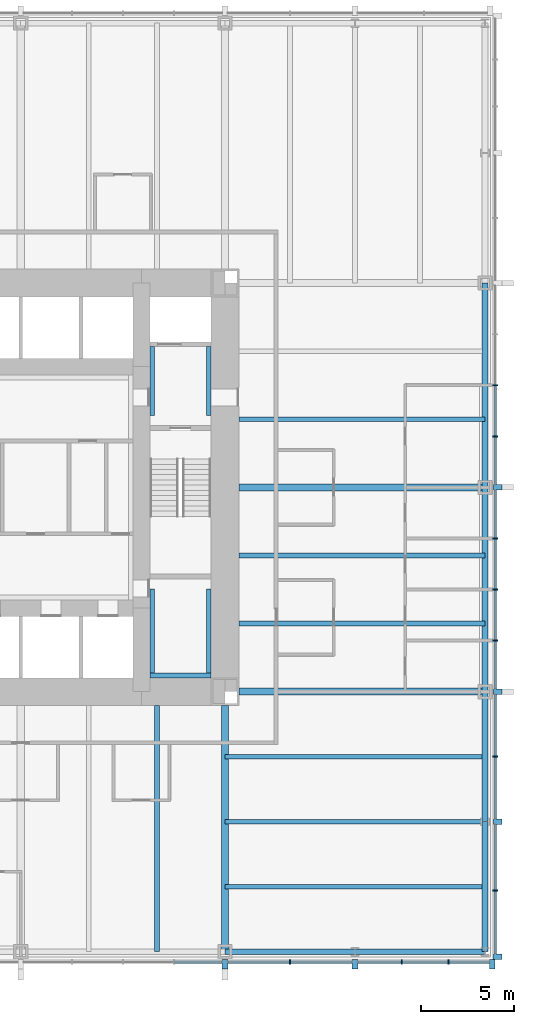
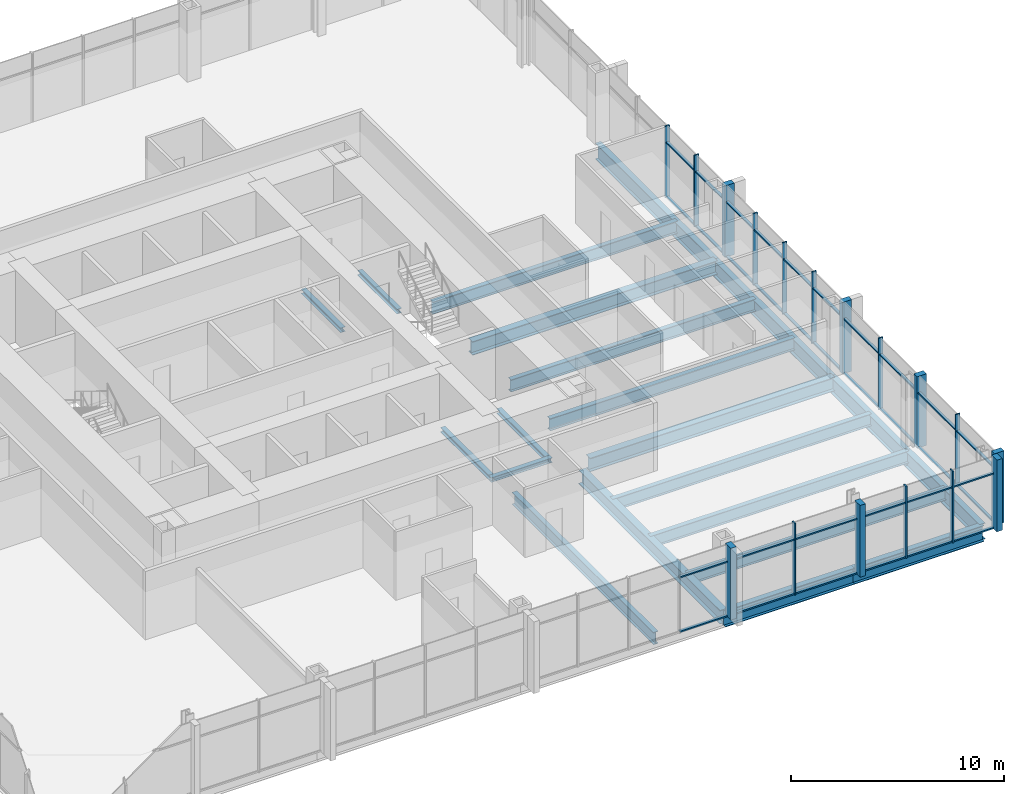
# One storey, part 4 of 12: 49 members, 21 beams, 2 elements without a shape of their own.
"""IFC4 building model written with IfcOpenShell, lengths in metres."""

from ifc_helpers import new_model, si_unit, direction, frame, origin, origin_2d, place, context, subcontext, project, spatial, rectangle, i_section, extrude, material, material_profile, profile_set, type_object, element, aggregate, save


model = new_model("IFC4")

# Units and contexts
model_context = context("Model", 3, precision=1e-05, world=origin(), true_north=direction((0.0, 1.0)))
body_context = subcontext(model_context, "Body", "Model", "MODEL_VIEW")
ifc_project = project(units=[si_unit("LENGTHUNIT", "METRE"), si_unit("AREAUNIT", "SQUARE_METRE"), si_unit("VOLUMEUNIT", "CUBIC_METRE"), si_unit("PLANEANGLEUNIT", "RADIAN"), si_unit("MASSUNIT", "GRAM", prefix="KILO")], contexts=[model_context])

# Site, building, storey
site_placement = place(None, origin())
site = spatial("IfcSite", under=ifc_project, at=site_placement, CompositionType="ELEMENT")
building_placement = place(site_placement, origin())
building = spatial("IfcBuilding", under=site, at=building_placement, Name="Trevanion Tower", CompositionType="ELEMENT")
storey_placement = place(building_placement, frame((0.0, 0.0, 32.39990234375)))
storey = spatial("IfcBuildingStorey", under=building, at=storey_placement, Name="L07", CompositionType="ELEMENT", Elevation=32.39990234375)

# Beams
ifc_material_1 = material(Name="Steel ASTM A992 Grade 50", Category="steel")
ifc_material_profile_1 = material_profile(ifc_material_1, i_section(OverallWidth=0.25390625, OverallDepth=0.700927734375, WebThickness=0.015380859375, FlangeThickness=0.02783203125, at=origin_2d()), Name="W27X129")
ifc_profile_set_1 = profile_set([ifc_material_profile_1], Name="Steel ASTM A992 Grade 50")
beam_type_1 = type_object("IfcBeamType", Name="B3 W27X129", PredefinedType="BEAM", material=ifc_profile_set_1)
for number, where, z_axis, x_axis, name in (
    (1, (11.75, -7.333251953125, -0.540283203125), (1.0, 0.0, 0.0), (0.0, 1.0, 0.0), "B3 L07"),
    (2, (11.75, -3.666748046875, -0.540283203125), (1.0, 0.0, 0.0), (0.0, 1.0, 0.0), "B3 L07"),
    (3, (11.75, 3.666748046875, -0.540283203125), (1.0, 0.0, 0.0), (0.0, 1.0, 0.0), "B3 L07"),
    (4, (7.333251953125, -11.75, -0.540283203125), (0.0, -1.0, 0.0), (1.0, 0.0, 0.0), "B3 L07"),
):
    element("IfcBeam", number, at=place(storey_placement, frame(where, z_axis=z_axis, x_axis=x_axis)), inside=storey, type_object=beam_type_1, Name=name, PredefinedType="BEAM", context=body_context, shape_type="SweptSolid", body=[
        extrude(i_section(OverallWidth=0.25390625, OverallDepth=0.700927734375, WebThickness=0.015380859375, FlangeThickness=0.02783203125, at=origin_2d()), origin(), (0.0, 0.0, 1.0), 13.25),
    ])
ifc_material_2 = material(Name="Steel ASTM A992 Grade 50", Category="steel")
ifc_material_profile_2 = material_profile(ifc_material_2, i_section(OverallWidth=0.256591796875, OverallDepth=0.693359375, WebThickness=0.014404296875, FlangeThickness=0.023681640625, at=origin_2d()), Name="W27X114")
ifc_profile_set_2 = profile_set([ifc_material_profile_2], Name="Steel ASTM A992 Grade 50")
beam_type_2 = type_object("IfcBeamType", Name="B4 W27X114", PredefinedType="BEAM", material=ifc_profile_set_2)
for number, where, z_axis, x_axis, name in (
    (5, (11.0, -14.5, -0.53662109375), (1.0, 0.0, 0.0), (0.0, 1.0, 0.0), "B4 L07"),
    (6, (11.0, -18.0, -0.53662109375), (1.0, 0.0, 0.0), (0.0, 1.0, 0.0), "B4 L07"),
    (7, (11.0, -21.5, -0.53662109375), (1.0, 0.0, 0.0), (0.0, 1.0, 0.0), "B4 L07"),
):
    element("IfcBeam", number, at=place(storey_placement, frame(where, z_axis=z_axis, x_axis=x_axis)), inside=storey, type_object=beam_type_2, Name=name, PredefinedType="BEAM", context=body_context, shape_type="SweptSolid", body=[
        extrude(i_section(OverallWidth=0.256591796875, OverallDepth=0.693359375, WebThickness=0.014404296875, FlangeThickness=0.023681640625, at=origin_2d()), origin(), (0.0, 0.0, 1.0), 14.0),
    ])

# Curtain wall, members
ifc_material_3 = material(Name="Aluminium and glass", Category="aluminium")
curtain_wall_type = type_object("IfcCurtainWallType", Name="CW1 curtain wall", PredefinedType="USERDEFINED", material=ifc_material_3)
curtain_wall_1_placement = place(storey_placement, origin())
curtain_wall_1 = element("IfcCurtainWall", 8, at=curtain_wall_1_placement, inside=storey, type_object=curtain_wall_type, Name="CW1 L07 0", ObjectType="UNITISED CURTAIN WALL", PredefinedType="USERDEFINED")
ifc_material_4 = material(Name="Aluminium extrusion, anodised bronze", Category="aluminium")
ifc_material_profile_3 = material_profile(ifc_material_4, rectangle(XDim=0.074951171875, YDim=0.25, at=origin_2d()), Name="CW1 mullion")
ifc_profile_set_3 = profile_set([ifc_material_profile_3], Name="Aluminium extrusion, anodised bronze")
member_type_1 = type_object("IfcMemberType", Name="CW1 mullion", PredefinedType="MULLION", material=ifc_profile_set_3)
member_1_placement = place(storey_placement, frame((25.550048828125, -21.7099609375, -0.18994140625), z_axis=(0.0, 0.0, 1.0), x_axis=(0.0, 1.0, 0.0)))
member_1 = element("IfcMember", 9, at=member_1_placement, type_object=member_type_1, Name="CW1 mullion 2", PredefinedType="MULLION", context=body_context, shape_type="SweptSolid", body=[
    extrude(rectangle(XDim=0.074951171875, YDim=0.25, at=origin_2d()), origin(), (0.0, 0.0, 1.0), 4.10009765625),
])
member_2_placement = place(storey_placement, frame((25.550048828125, -14.5, -0.18994140625), z_axis=(0.0, 0.0, 1.0), x_axis=(0.0, 1.0, 0.0)))
member_2 = element("IfcMember", 10, at=member_2_placement, type_object=member_type_1, Name="CW1 mullion 4", PredefinedType="MULLION", context=body_context, shape_type="SweptSolid", body=[
    extrude(rectangle(XDim=0.074951171875, YDim=0.25, at=origin_2d()), origin(), (0.0, 0.0, 1.0), 4.10009765625),
])
member_3_placement = place(storey_placement, frame((25.550048828125, -8.25, -0.18994140625), z_axis=(0.0, 0.0, 1.0), x_axis=(0.0, 1.0, 0.0)))
member_3 = element("IfcMember", 11, at=member_3_placement, type_object=member_type_1, Name="CW1 mullion 6", PredefinedType="MULLION", context=body_context, shape_type="SweptSolid", body=[
    extrude(rectangle(XDim=0.074951171875, YDim=0.25, at=origin_2d()), origin(), (0.0, 0.0, 1.0), 4.10009765625),
])
member_4_placement = place(storey_placement, frame((25.550048828125, -5.5, -0.18994140625), z_axis=(0.0, 0.0, 1.0), x_axis=(0.0, 1.0, 0.0)))
member_4 = element("IfcMember", 12, at=member_4_placement, type_object=member_type_1, Name="CW1 mullion 7", PredefinedType="MULLION", context=body_context, shape_type="SweptSolid", body=[
    extrude(rectangle(XDim=0.074951171875, YDim=0.25, at=origin_2d()), origin(), (0.0, 0.0, 1.0), 4.10009765625),
])
member_5_placement = place(storey_placement, frame((25.550048828125, -2.75, -0.18994140625), z_axis=(0.0, 0.0, 1.0), x_axis=(0.0, 1.0, 0.0)))
member_5 = element("IfcMember", 13, at=member_5_placement, type_object=member_type_1, Name="CW1 mullion 8", PredefinedType="MULLION", context=body_context, shape_type="SweptSolid", body=[
    extrude(rectangle(XDim=0.074951171875, YDim=0.25, at=origin_2d()), origin(), (0.0, 0.0, 1.0), 4.10009765625),
])
member_6_placement = place(storey_placement, frame((25.550048828125, 2.75, -0.18994140625), z_axis=(0.0, 0.0, 1.0), x_axis=(0.0, 1.0, 0.0)))
member_6 = element("IfcMember", 14, at=member_6_placement, type_object=member_type_1, Name="CW1 mullion 10", PredefinedType="MULLION", context=body_context, shape_type="SweptSolid", body=[
    extrude(rectangle(XDim=0.074951171875, YDim=0.25, at=origin_2d()), origin(), (0.0, 0.0, 1.0), 4.10009765625),
])
member_7_placement = place(storey_placement, frame((25.550048828125, 5.5, -0.18994140625), z_axis=(0.0, 0.0, 1.0), x_axis=(0.0, 1.0, 0.0)))
member_7 = element("IfcMember", 15, at=member_7_placement, type_object=member_type_1, Name="CW1 mullion 11", PredefinedType="MULLION", context=body_context, shape_type="SweptSolid", body=[
    extrude(rectangle(XDim=0.074951171875, YDim=0.25, at=origin_2d()), origin(), (0.0, 0.0, 1.0), 4.10009765625),
])

curtain_wall_2_placement = place(storey_placement, origin())
curtain_wall_2 = element("IfcCurtainWall", 16, at=curtain_wall_2_placement, inside=storey, type_object=curtain_wall_type, Name="CW1 L07 3", ObjectType="UNITISED CURTAIN WALL", PredefinedType="USERDEFINED")
member_8_placement = place(storey_placement, frame((14.5, -25.550048828125, -0.18994140625), z_axis=(0.0, 0.0, 1.0), x_axis=(1.0, 0.0, 0.0)))
member_8 = element("IfcMember", 17, at=member_8_placement, type_object=member_type_1, Name="CW1 mullion 14", PredefinedType="MULLION", context=body_context, shape_type="SweptSolid", body=[
    extrude(rectangle(XDim=0.074951171875, YDim=0.25, at=origin_2d()), origin(), (0.0, 0.0, 1.0), 4.10009765625),
])
member_9_placement = place(storey_placement, frame((20.5166015625, -25.550048828125, -0.18994140625), z_axis=(0.0, 0.0, 1.0), x_axis=(1.0, 0.0, 0.0)))
member_9 = element("IfcMember", 18, at=member_9_placement, type_object=member_type_1, Name="CW1 mullion 16", PredefinedType="MULLION", context=body_context, shape_type="SweptSolid", body=[
    extrude(rectangle(XDim=0.074951171875, YDim=0.25, at=origin_2d()), origin(), (0.0, 0.0, 1.0), 4.10009765625),
])
member_10_placement = place(storey_placement, frame((23.033203125, -25.550048828125, -0.18994140625), z_axis=(0.0, 0.0, 1.0), x_axis=(1.0, 0.0, 0.0)))
member_10 = element("IfcMember", 19, at=member_10_placement, type_object=member_type_1, Name="CW1 mullion 17", PredefinedType="MULLION", context=body_context, shape_type="SweptSolid", body=[
    extrude(rectangle(XDim=0.074951171875, YDim=0.25, at=origin_2d()), origin(), (0.0, 0.0, 1.0), 4.10009765625),
])

# Member
ifc_material_5 = material(Name="Aluminium extrusion, anodised bronze", Category="aluminium")
ifc_material_profile_4 = material_profile(ifc_material_5, rectangle(XDim=0.300048828125, YDim=0.5, at=origin_2d()), Name="CW1 pier mullion")
ifc_profile_set_4 = profile_set([ifc_material_profile_4], Name="Aluminium extrusion, anodised bronze")
member_type_2 = type_object("IfcMemberType", Name="CW1 pier mullion", PredefinedType="MULLION", material=ifc_profile_set_4)
member_11_placement = place(storey_placement, frame((25.675048828125, -25.27001953125, -0.18994140625), z_axis=(0.0, 0.0, 1.0), x_axis=(0.0, 1.0, 0.0)))
member_11 = element("IfcMember", 20, at=member_11_placement, type_object=member_type_2, Name="CW1 pier mullion 1", PredefinedType="MULLION", context=body_context, shape_type="SweptSolid", body=[
    extrude(rectangle(XDim=0.300048828125, YDim=0.5, at=origin_2d()), origin(), (0.0, 0.0, 1.0), 4.10009765625),
])

member_12_placement = place(storey_placement, frame((25.675048828125, -18.0, -0.18994140625), z_axis=(0.0, 0.0, 1.0), x_axis=(0.0, 1.0, 0.0)))
member_12 = element("IfcMember", 21, at=member_12_placement, type_object=member_type_2, Name="CW1 pier mullion 3", PredefinedType="MULLION", context=body_context, shape_type="SweptSolid", body=[
    extrude(rectangle(XDim=0.300048828125, YDim=0.5, at=origin_2d()), origin(), (0.0, 0.0, 1.0), 4.10009765625),
])

member_13_placement = place(storey_placement, frame((25.675048828125, -11.0, -0.18994140625), z_axis=(0.0, 0.0, 1.0), x_axis=(0.0, 1.0, 0.0)))
member_13 = element("IfcMember", 22, at=member_13_placement, type_object=member_type_2, Name="CW1 pier mullion 5", PredefinedType="MULLION", context=body_context, shape_type="SweptSolid", body=[
    extrude(rectangle(XDim=0.300048828125, YDim=0.5, at=origin_2d()), origin(), (0.0, 0.0, 1.0), 4.10009765625),
])

member_14_placement = place(storey_placement, frame((25.675048828125, 0.0, -0.18994140625), z_axis=(0.0, 0.0, 1.0), x_axis=(0.0, 1.0, 0.0)))
member_14 = element("IfcMember", 23, at=member_14_placement, type_object=member_type_2, Name="CW1 pier mullion 9", PredefinedType="MULLION", context=body_context, shape_type="SweptSolid", body=[
    extrude(rectangle(XDim=0.300048828125, YDim=0.5, at=origin_2d()), origin(), (0.0, 0.0, 1.0), 4.10009765625),
])

member_15_placement = place(storey_placement, frame((11.0, -25.675048828125, -0.18994140625), z_axis=(0.0, 0.0, 1.0), x_axis=(1.0, 0.0, 0.0)))
member_15 = element("IfcMember", 24, at=member_15_placement, type_object=member_type_2, Name="CW1 pier mullion 13", PredefinedType="MULLION", context=body_context, shape_type="SweptSolid", body=[
    extrude(rectangle(XDim=0.300048828125, YDim=0.5, at=origin_2d()), origin(), (0.0, 0.0, 1.0), 4.10009765625),
])

member_16_placement = place(storey_placement, frame((18.0, -25.675048828125, -0.18994140625), z_axis=(0.0, 0.0, 1.0), x_axis=(1.0, 0.0, 0.0)))
member_16 = element("IfcMember", 25, at=member_16_placement, type_object=member_type_2, Name="CW1 pier mullion 15", PredefinedType="MULLION", context=body_context, shape_type="SweptSolid", body=[
    extrude(rectangle(XDim=0.300048828125, YDim=0.5, at=origin_2d()), origin(), (0.0, 0.0, 1.0), 4.10009765625),
])

member_17_placement = place(storey_placement, frame((25.39990234375, -25.675048828125, -0.18994140625), z_axis=(0.0, 0.0, 1.0), x_axis=(1.0, 0.0, 0.0)))
member_17 = element("IfcMember", 26, at=member_17_placement, type_object=member_type_2, Name="CW1 pier mullion 18", PredefinedType="MULLION", context=body_context, shape_type="SweptSolid", body=[
    extrude(rectangle(XDim=0.300048828125, YDim=0.5, at=origin_2d()), origin(), (0.0, 0.0, 1.0), 4.10009765625),
])

ifc_material_6 = material(Name="Aluminium extrusion, anodised bronze", Category="aluminium")
ifc_material_profile_5 = material_profile(ifc_material_6, rectangle(XDim=0.14990234375, YDim=0.074951171875, at=origin_2d()), Name="CW1 transom")
ifc_profile_set_5 = profile_set([ifc_material_profile_5], Name="Aluminium extrusion, anodised bronze")
member_type_3 = type_object("IfcMemberType", Name="CW1 transom", PredefinedType="USERDEFINED", material=ifc_profile_set_5)
member_18_placement = place(storey_placement, frame((25.550048828125, -25.1201171875, -0.15234375), z_axis=(0.0, 1.0, 0.0), x_axis=(-1.0, 0.0, 0.0)))
member_18 = element("IfcMember", 27, at=member_18_placement, type_object=member_type_3, Name="CW1 transom 1.1", ObjectType="TRANSOM", PredefinedType="USERDEFINED", context=body_context, shape_type="SweptSolid", body=[
    extrude(rectangle(XDim=0.14990234375, YDim=0.074951171875, at=origin_2d()), origin(), (0.0, 0.0, 1.0), 3.37255859375),
])

member_19_placement = place(storey_placement, frame((25.550048828125, -25.1201171875, 2.960205078125), z_axis=(0.0, 1.0, 0.0), x_axis=(-1.0, 0.0, 0.0)))
member_19 = element("IfcMember", 28, at=member_19_placement, type_object=member_type_3, Name="CW1 transom 1.2", ObjectType="TRANSOM", PredefinedType="USERDEFINED", context=body_context, shape_type="SweptSolid", body=[
    extrude(rectangle(XDim=0.14990234375, YDim=0.074951171875, at=origin_2d()), origin(), (0.0, 0.0, 1.0), 3.37255859375),
])

member_20_placement = place(storey_placement, frame((25.550048828125, -21.672607421875, -0.15234375), z_axis=(0.0, 1.0, 0.0), x_axis=(-1.0, 0.0, 0.0)))
member_20 = element("IfcMember", 29, at=member_20_placement, type_object=member_type_3, Name="CW1 transom 2.1", ObjectType="TRANSOM", PredefinedType="USERDEFINED", context=body_context, shape_type="SweptSolid", body=[
    extrude(rectangle(XDim=0.14990234375, YDim=0.074951171875, at=origin_2d()), origin(), (0.0, 0.0, 1.0), 3.522705078125),
])

member_21_placement = place(storey_placement, frame((25.550048828125, -21.672607421875, 2.960205078125), z_axis=(0.0, 1.0, 0.0), x_axis=(-1.0, 0.0, 0.0)))
member_21 = element("IfcMember", 30, at=member_21_placement, type_object=member_type_3, Name="CW1 transom 2.2", ObjectType="TRANSOM", PredefinedType="USERDEFINED", context=body_context, shape_type="SweptSolid", body=[
    extrude(rectangle(XDim=0.14990234375, YDim=0.074951171875, at=origin_2d()), origin(), (0.0, 0.0, 1.0), 3.522705078125),
])

member_22_placement = place(storey_placement, frame((25.550048828125, -17.85009765625, -0.15234375), z_axis=(0.0, 1.0, 0.0), x_axis=(-1.0, 0.0, 0.0)))
member_22 = element("IfcMember", 31, at=member_22_placement, type_object=member_type_3, Name="CW1 transom 3.1", ObjectType="TRANSOM", PredefinedType="USERDEFINED", context=body_context, shape_type="SweptSolid", body=[
    extrude(rectangle(XDim=0.14990234375, YDim=0.074951171875, at=origin_2d()), origin(), (0.0, 0.0, 1.0), 3.3125),
])

member_23_placement = place(storey_placement, frame((25.550048828125, -17.85009765625, 2.960205078125), z_axis=(0.0, 1.0, 0.0), x_axis=(-1.0, 0.0, 0.0)))
member_23 = element("IfcMember", 32, at=member_23_placement, type_object=member_type_3, Name="CW1 transom 3.2", ObjectType="TRANSOM", PredefinedType="USERDEFINED", context=body_context, shape_type="SweptSolid", body=[
    extrude(rectangle(XDim=0.14990234375, YDim=0.074951171875, at=origin_2d()), origin(), (0.0, 0.0, 1.0), 3.3125),
])

member_24_placement = place(storey_placement, frame((25.550048828125, -14.46240234375, -0.15234375), z_axis=(0.0, 1.0, 0.0), x_axis=(-1.0, 0.0, 0.0)))
member_24 = element("IfcMember", 33, at=member_24_placement, type_object=member_type_3, Name="CW1 transom 4.1", ObjectType="TRANSOM", PredefinedType="USERDEFINED", context=body_context, shape_type="SweptSolid", body=[
    extrude(rectangle(XDim=0.14990234375, YDim=0.074951171875, at=origin_2d()), origin(), (0.0, 0.0, 1.0), 3.3125),
])

member_25_placement = place(storey_placement, frame((25.550048828125, -14.46240234375, 2.960205078125), z_axis=(0.0, 1.0, 0.0), x_axis=(-1.0, 0.0, 0.0)))
member_25 = element("IfcMember", 34, at=member_25_placement, type_object=member_type_3, Name="CW1 transom 4.2", ObjectType="TRANSOM", PredefinedType="USERDEFINED", context=body_context, shape_type="SweptSolid", body=[
    extrude(rectangle(XDim=0.14990234375, YDim=0.074951171875, at=origin_2d()), origin(), (0.0, 0.0, 1.0), 3.3125),
])

member_26_placement = place(storey_placement, frame((25.550048828125, -10.85009765625, -0.15234375), z_axis=(0.0, 1.0, 0.0), x_axis=(-1.0, 0.0, 0.0)))
member_26 = element("IfcMember", 35, at=member_26_placement, type_object=member_type_3, Name="CW1 transom 5.1", ObjectType="TRANSOM", PredefinedType="USERDEFINED", context=body_context, shape_type="SweptSolid", body=[
    extrude(rectangle(XDim=0.14990234375, YDim=0.074951171875, at=origin_2d()), origin(), (0.0, 0.0, 1.0), 2.5625),
])

member_27_placement = place(storey_placement, frame((25.550048828125, -10.85009765625, 2.960205078125), z_axis=(0.0, 1.0, 0.0), x_axis=(-1.0, 0.0, 0.0)))
member_27 = element("IfcMember", 36, at=member_27_placement, type_object=member_type_3, Name="CW1 transom 5.2", ObjectType="TRANSOM", PredefinedType="USERDEFINED", context=body_context, shape_type="SweptSolid", body=[
    extrude(rectangle(XDim=0.14990234375, YDim=0.074951171875, at=origin_2d()), origin(), (0.0, 0.0, 1.0), 2.5625),
])

member_28_placement = place(storey_placement, frame((25.550048828125, -8.21240234375, -0.15234375), z_axis=(0.0, 1.0, 0.0), x_axis=(-1.0, 0.0, 0.0)))
member_28 = element("IfcMember", 37, at=member_28_placement, type_object=member_type_3, Name="CW1 transom 6.1", ObjectType="TRANSOM", PredefinedType="USERDEFINED", context=body_context, shape_type="SweptSolid", body=[
    extrude(rectangle(XDim=0.14990234375, YDim=0.074951171875, at=origin_2d()), origin(), (0.0, 0.0, 1.0), 2.6748046875),
])

member_29_placement = place(storey_placement, frame((25.550048828125, -8.21240234375, 2.960205078125), z_axis=(0.0, 1.0, 0.0), x_axis=(-1.0, 0.0, 0.0)))
member_29 = element("IfcMember", 38, at=member_29_placement, type_object=member_type_3, Name="CW1 transom 6.2", ObjectType="TRANSOM", PredefinedType="USERDEFINED", context=body_context, shape_type="SweptSolid", body=[
    extrude(rectangle(XDim=0.14990234375, YDim=0.074951171875, at=origin_2d()), origin(), (0.0, 0.0, 1.0), 2.6748046875),
])

member_30_placement = place(storey_placement, frame((25.550048828125, -5.46240234375, -0.15234375), z_axis=(0.0, 1.0, 0.0), x_axis=(-1.0, 0.0, 0.0)))
member_30 = element("IfcMember", 39, at=member_30_placement, type_object=member_type_3, Name="CW1 transom 7.1", ObjectType="TRANSOM", PredefinedType="USERDEFINED", context=body_context, shape_type="SweptSolid", body=[
    extrude(rectangle(XDim=0.14990234375, YDim=0.074951171875, at=origin_2d()), origin(), (0.0, 0.0, 1.0), 2.6748046875),
])

member_31_placement = place(storey_placement, frame((25.550048828125, -5.46240234375, 2.960205078125), z_axis=(0.0, 1.0, 0.0), x_axis=(-1.0, 0.0, 0.0)))
member_31 = element("IfcMember", 40, at=member_31_placement, type_object=member_type_3, Name="CW1 transom 7.2", ObjectType="TRANSOM", PredefinedType="USERDEFINED", context=body_context, shape_type="SweptSolid", body=[
    extrude(rectangle(XDim=0.14990234375, YDim=0.074951171875, at=origin_2d()), origin(), (0.0, 0.0, 1.0), 2.6748046875),
])

member_32_placement = place(storey_placement, frame((25.550048828125, -2.71240234375, -0.15234375), z_axis=(0.0, 1.0, 0.0), x_axis=(-1.0, 0.0, 0.0)))
member_32 = element("IfcMember", 41, at=member_32_placement, type_object=member_type_3, Name="CW1 transom 8.1", ObjectType="TRANSOM", PredefinedType="USERDEFINED", context=body_context, shape_type="SweptSolid", body=[
    extrude(rectangle(XDim=0.14990234375, YDim=0.074951171875, at=origin_2d()), origin(), (0.0, 0.0, 1.0), 2.5625),
])

member_33_placement = place(storey_placement, frame((25.550048828125, -2.71240234375, 2.960205078125), z_axis=(0.0, 1.0, 0.0), x_axis=(-1.0, 0.0, 0.0)))
member_33 = element("IfcMember", 42, at=member_33_placement, type_object=member_type_3, Name="CW1 transom 8.2", ObjectType="TRANSOM", PredefinedType="USERDEFINED", context=body_context, shape_type="SweptSolid", body=[
    extrude(rectangle(XDim=0.14990234375, YDim=0.074951171875, at=origin_2d()), origin(), (0.0, 0.0, 1.0), 2.5625),
])

member_34_placement = place(storey_placement, frame((25.550048828125, 0.14990234375, -0.15234375), z_axis=(0.0, 1.0, 0.0), x_axis=(-1.0, 0.0, 0.0)))
member_34 = element("IfcMember", 43, at=member_34_placement, type_object=member_type_3, Name="CW1 transom 9.1", ObjectType="TRANSOM", PredefinedType="USERDEFINED", context=body_context, shape_type="SweptSolid", body=[
    extrude(rectangle(XDim=0.14990234375, YDim=0.074951171875, at=origin_2d()), origin(), (0.0, 0.0, 1.0), 2.5625),
])

member_35_placement = place(storey_placement, frame((25.550048828125, 0.14990234375, 2.960205078125), z_axis=(0.0, 1.0, 0.0), x_axis=(-1.0, 0.0, 0.0)))
member_35 = element("IfcMember", 44, at=member_35_placement, type_object=member_type_3, Name="CW1 transom 9.2", ObjectType="TRANSOM", PredefinedType="USERDEFINED", context=body_context, shape_type="SweptSolid", body=[
    extrude(rectangle(XDim=0.14990234375, YDim=0.074951171875, at=origin_2d()), origin(), (0.0, 0.0, 1.0), 2.5625),
])

member_36_placement = place(storey_placement, frame((25.550048828125, 2.78759765625, -0.15234375), z_axis=(0.0, 1.0, 0.0), x_axis=(-1.0, 0.0, 0.0)))
member_36 = element("IfcMember", 45, at=member_36_placement, type_object=member_type_3, Name="CW1 transom 10.1", ObjectType="TRANSOM", PredefinedType="USERDEFINED", context=body_context, shape_type="SweptSolid", body=[
    extrude(rectangle(XDim=0.14990234375, YDim=0.074951171875, at=origin_2d()), origin(), (0.0, 0.0, 1.0), 2.6748046875),
])

member_37_placement = place(storey_placement, frame((25.550048828125, 2.78759765625, 2.960205078125), z_axis=(0.0, 1.0, 0.0), x_axis=(-1.0, 0.0, 0.0)))
member_37 = element("IfcMember", 46, at=member_37_placement, type_object=member_type_3, Name="CW1 transom 10.2", ObjectType="TRANSOM", PredefinedType="USERDEFINED", context=body_context, shape_type="SweptSolid", body=[
    extrude(rectangle(XDim=0.14990234375, YDim=0.074951171875, at=origin_2d()), origin(), (0.0, 0.0, 1.0), 2.6748046875),
])

aggregate(curtain_wall_1, [member_11, member_1, member_12, member_2, member_13, member_3, member_4, member_5, member_14, member_6, member_7, member_18, member_19, member_20, member_21, member_22, member_23, member_24, member_25, member_26, member_27, member_28, member_29, member_30, member_31, member_32, member_33, member_34, member_35, member_36, member_37])

member_38_placement = place(storey_placement, frame((8.28759765625, -25.550048828125, -0.15234375), z_axis=(1.0, 0.0, 0.0), x_axis=(0.0, 1.0, 0.0)))
member_38 = element("IfcMember", 47, at=member_38_placement, type_object=member_type_3, Name="CW1 transom 12.1", ObjectType="TRANSOM", PredefinedType="USERDEFINED", context=body_context, shape_type="SweptSolid", body=[
    extrude(rectangle(XDim=0.14990234375, YDim=0.074951171875, at=origin_2d()), origin(), (0.0, 0.0, 1.0), 2.5625),
])

member_39_placement = place(storey_placement, frame((8.28759765625, -25.550048828125, 2.960205078125), z_axis=(1.0, 0.0, 0.0), x_axis=(0.0, 1.0, 0.0)))
member_39 = element("IfcMember", 48, at=member_39_placement, type_object=member_type_3, Name="CW1 transom 12.2", ObjectType="TRANSOM", PredefinedType="USERDEFINED", context=body_context, shape_type="SweptSolid", body=[
    extrude(rectangle(XDim=0.14990234375, YDim=0.074951171875, at=origin_2d()), origin(), (0.0, 0.0, 1.0), 2.5625),
])

member_40_placement = place(storey_placement, frame((11.14990234375, -25.550048828125, -0.15234375), z_axis=(1.0, 0.0, 0.0), x_axis=(0.0, 1.0, 0.0)))
member_40 = element("IfcMember", 49, at=member_40_placement, type_object=member_type_3, Name="CW1 transom 13.1", ObjectType="TRANSOM", PredefinedType="USERDEFINED", context=body_context, shape_type="SweptSolid", body=[
    extrude(rectangle(XDim=0.14990234375, YDim=0.074951171875, at=origin_2d()), origin(), (0.0, 0.0, 1.0), 3.3125),
])

member_41_placement = place(storey_placement, frame((11.14990234375, -25.550048828125, 2.960205078125), z_axis=(1.0, 0.0, 0.0), x_axis=(0.0, 1.0, 0.0)))
member_41 = element("IfcMember", 50, at=member_41_placement, type_object=member_type_3, Name="CW1 transom 13.2", ObjectType="TRANSOM", PredefinedType="USERDEFINED", context=body_context, shape_type="SweptSolid", body=[
    extrude(rectangle(XDim=0.14990234375, YDim=0.074951171875, at=origin_2d()), origin(), (0.0, 0.0, 1.0), 3.3125),
])

member_42_placement = place(storey_placement, frame((14.53759765625, -25.550048828125, -0.15234375), z_axis=(1.0, 0.0, 0.0), x_axis=(0.0, 1.0, 0.0)))
member_42 = element("IfcMember", 51, at=member_42_placement, type_object=member_type_3, Name="CW1 transom 14.1", ObjectType="TRANSOM", PredefinedType="USERDEFINED", context=body_context, shape_type="SweptSolid", body=[
    extrude(rectangle(XDim=0.14990234375, YDim=0.074951171875, at=origin_2d()), origin(), (0.0, 0.0, 1.0), 3.3125),
])

member_43_placement = place(storey_placement, frame((14.53759765625, -25.550048828125, 2.960205078125), z_axis=(1.0, 0.0, 0.0), x_axis=(0.0, 1.0, 0.0)))
member_43 = element("IfcMember", 52, at=member_43_placement, type_object=member_type_3, Name="CW1 transom 14.2", ObjectType="TRANSOM", PredefinedType="USERDEFINED", context=body_context, shape_type="SweptSolid", body=[
    extrude(rectangle(XDim=0.14990234375, YDim=0.074951171875, at=origin_2d()), origin(), (0.0, 0.0, 1.0), 3.3125),
])

member_44_placement = place(storey_placement, frame((18.14990234375, -25.550048828125, -0.15234375), z_axis=(1.0, 0.0, 0.0), x_axis=(0.0, 1.0, 0.0)))
member_44 = element("IfcMember", 53, at=member_44_placement, type_object=member_type_3, Name="CW1 transom 15.1", ObjectType="TRANSOM", PredefinedType="USERDEFINED", context=body_context, shape_type="SweptSolid", body=[
    extrude(rectangle(XDim=0.14990234375, YDim=0.074951171875, at=origin_2d()), origin(), (0.0, 0.0, 1.0), 2.329345703125),
])

member_45_placement = place(storey_placement, frame((18.14990234375, -25.550048828125, 2.960205078125), z_axis=(1.0, 0.0, 0.0), x_axis=(0.0, 1.0, 0.0)))
member_45 = element("IfcMember", 54, at=member_45_placement, type_object=member_type_3, Name="CW1 transom 15.2", ObjectType="TRANSOM", PredefinedType="USERDEFINED", context=body_context, shape_type="SweptSolid", body=[
    extrude(rectangle(XDim=0.14990234375, YDim=0.074951171875, at=origin_2d()), origin(), (0.0, 0.0, 1.0), 2.329345703125),
])

member_46_placement = place(storey_placement, frame((20.55419921875, -25.550048828125, -0.15234375), z_axis=(1.0, 0.0, 0.0), x_axis=(0.0, 1.0, 0.0)))
member_46 = element("IfcMember", 55, at=member_46_placement, type_object=member_type_3, Name="CW1 transom 16.1", ObjectType="TRANSOM", PredefinedType="USERDEFINED", context=body_context, shape_type="SweptSolid", body=[
    extrude(rectangle(XDim=0.14990234375, YDim=0.074951171875, at=origin_2d()), origin(), (0.0, 0.0, 1.0), 2.441650390625),
])

member_47_placement = place(storey_placement, frame((20.55419921875, -25.550048828125, 2.960205078125), z_axis=(1.0, 0.0, 0.0), x_axis=(0.0, 1.0, 0.0)))
member_47 = element("IfcMember", 56, at=member_47_placement, type_object=member_type_3, Name="CW1 transom 16.2", ObjectType="TRANSOM", PredefinedType="USERDEFINED", context=body_context, shape_type="SweptSolid", body=[
    extrude(rectangle(XDim=0.14990234375, YDim=0.074951171875, at=origin_2d()), origin(), (0.0, 0.0, 1.0), 2.441650390625),
])

member_48_placement = place(storey_placement, frame((23.07080078125, -25.550048828125, -0.15234375), z_axis=(1.0, 0.0, 0.0), x_axis=(0.0, 1.0, 0.0)))
member_48 = element("IfcMember", 57, at=member_48_placement, type_object=member_type_3, Name="CW1 transom 17.1", ObjectType="TRANSOM", PredefinedType="USERDEFINED", context=body_context, shape_type="SweptSolid", body=[
    extrude(rectangle(XDim=0.14990234375, YDim=0.074951171875, at=origin_2d()), origin(), (0.0, 0.0, 1.0), 2.17919921875),
])

member_49_placement = place(storey_placement, frame((23.07080078125, -25.550048828125, 2.960205078125), z_axis=(1.0, 0.0, 0.0), x_axis=(0.0, 1.0, 0.0)))
member_49 = element("IfcMember", 58, at=member_49_placement, type_object=member_type_3, Name="CW1 transom 17.2", ObjectType="TRANSOM", PredefinedType="USERDEFINED", context=body_context, shape_type="SweptSolid", body=[
    extrude(rectangle(XDim=0.14990234375, YDim=0.074951171875, at=origin_2d()), origin(), (0.0, 0.0, 1.0), 2.17919921875),
])

aggregate(curtain_wall_2, [member_15, member_8, member_16, member_9, member_10, member_17, member_38, member_39, member_40, member_41, member_42, member_43, member_44, member_45, member_46, member_47, member_48, member_49])

# Beams
ifc_material_7 = material(Name="Steel ASTM A992 Grade 50", Category="steel")
ifc_material_profile_6 = material_profile(ifc_material_7, i_section(OverallWidth=0.381103515625, OverallDepth=0.77978515625, WebThickness=0.01806640625, FlangeThickness=0.0302734375, at=origin_2d()), Name="W30X191")
ifc_profile_set_6 = profile_set([ifc_material_profile_6], Name="Steel ASTM A992 Grade 50")
beam_type_3 = type_object("IfcBeamType", Name="G2 W30X191", PredefinedType="BEAM", material=ifc_profile_set_6)
for number, where, z_axis, x_axis, name in (
    (59, (11.75, -11.0, -0.579833984375), (1.0, 0.0, 0.0), (0.0, 1.0, 0.0), "G2 L07"),
    (60, (11.75, 0.0, -0.579833984375), (1.0, 0.0, 0.0), (0.0, 1.0, 0.0), "G2 L07"),
    (61, (11.0, -11.75, -0.579833984375), (0.0, -1.0, 0.0), (1.0, 0.0, 0.0), "G2 L07"),
):
    element("IfcBeam", number, at=place(storey_placement, frame(where, z_axis=z_axis, x_axis=x_axis)), inside=storey, type_object=beam_type_3, Name=name, PredefinedType="BEAM", context=body_context, shape_type="SweptSolid", body=[
        extrude(i_section(OverallWidth=0.381103515625, OverallDepth=0.77978515625, WebThickness=0.01806640625, FlangeThickness=0.0302734375, at=origin_2d()), origin(), (0.0, 0.0, 1.0), 13.25),
    ])
ifc_material_8 = material(Name="Steel ASTM A992 Grade 50", Category="steel")
ifc_material_profile_7 = material_profile(ifc_material_8, i_section(OverallWidth=0.256591796875, OverallDepth=0.26416015625, WebThickness=0.011962890625, FlangeThickness=0.01953125, at=origin_2d()), Name="W10X68")
ifc_profile_set_7 = profile_set([ifc_material_profile_7], Name="Steel ASTM A992 Grade 50")
beam_type_4 = type_object("IfcBeamType", Name="LB1 W10X68", PredefinedType="BEAM", material=ifc_profile_set_7)
for number, where, z_axis, x_axis, name in (
    (62, (7.078369140625, 3.875, -0.33203125), (0.0, 1.0, 0.0), (-1.0, 0.0, 0.0), "LB1 L07"),
    (63, (10.12158203125, 3.875, -0.33203125), (0.0, 1.0, 0.0), (-1.0, 0.0, 0.0), "LB1 L07"),
):
    element("IfcBeam", number, at=place(storey_placement, frame(where, z_axis=z_axis, x_axis=x_axis)), inside=storey, type_object=beam_type_4, Name=name, PredefinedType="BEAM", context=body_context, shape_type="SweptSolid", body=[
        extrude(i_section(OverallWidth=0.256591796875, OverallDepth=0.26416015625, WebThickness=0.011962890625, FlangeThickness=0.01953125, at=origin_2d()), origin(), (0.0, 0.0, 1.0), 3.699951171875),
    ])
for number, where, z_axis, x_axis, name in (
    (64, (7.078369140625, -10.25, -0.33203125), (0.0, 1.0, 0.0), (-1.0, 0.0, 0.0), "LB1 L07"),
    (65, (10.12158203125, -10.25, -0.33203125), (0.0, 1.0, 0.0), (-1.0, 0.0, 0.0), "LB1 L07"),
):
    element("IfcBeam", number, at=place(storey_placement, frame(where, z_axis=z_axis, x_axis=x_axis)), inside=storey, type_object=beam_type_4, Name=name, PredefinedType="BEAM", context=body_context, shape_type="SweptSolid", body=[
        extrude(i_section(OverallWidth=0.256591796875, OverallDepth=0.26416015625, WebThickness=0.011962890625, FlangeThickness=0.01953125, at=origin_2d()), origin(), (0.0, 0.0, 1.0), 4.77490234375),
    ])
beam_placement = place(storey_placement, frame((6.949951171875, -10.12158203125, -0.33203125), z_axis=(1.0, 0.0, 0.0), x_axis=(0.0, 1.0, 0.0)))
element("IfcBeam", 66, at=beam_placement, inside=storey, type_object=beam_type_4, Name="LB1 L07", PredefinedType="BEAM", context=body_context, shape_type="SweptSolid", body=[
    extrude(i_section(OverallWidth=0.256591796875, OverallDepth=0.26416015625, WebThickness=0.011962890625, FlangeThickness=0.01953125, at=origin_2d()), origin(), (0.0, 0.0, 1.0), 3.300048828125),
])
ifc_material_9 = material(Name="Steel ASTM A992 Grade 50", Category="steel")
ifc_material_profile_8 = material_profile(ifc_material_9, i_section(OverallWidth=0.307373046875, OverallDepth=0.927001953125, WebThickness=0.01953125, FlangeThickness=0.031982421875, at=origin_2d()), Name="W36X194")
ifc_profile_set_8 = profile_set([ifc_material_profile_8], Name="Steel ASTM A992 Grade 50")
beam_type_5 = type_object("IfcBeamType", Name="SB2 W36X194", PredefinedType="SPANDREL", material=ifc_profile_set_8)
for number, where, z_axis, x_axis, name in (
    (67, (25.0, -25.0, -0.653564453125), (0.0, 1.0, 0.0), (-1.0, 0.0, 0.0), "SB2 L07"),
    (68, (25.0, -18.0, -0.653564453125), (0.0, 1.0, 0.0), (-1.0, 0.0, 0.0), "SB2 L07"),
):
    element("IfcBeam", number, at=place(storey_placement, frame(where, z_axis=z_axis, x_axis=x_axis)), inside=storey, type_object=beam_type_5, Name=name, PredefinedType="SPANDREL", context=body_context, shape_type="SweptSolid", body=[
        extrude(i_section(OverallWidth=0.307373046875, OverallDepth=0.927001953125, WebThickness=0.01953125, FlangeThickness=0.031982421875, at=origin_2d()), origin(), (0.0, 0.0, 1.0), 7.0),
    ])
for number, where, z_axis, x_axis, name in (
    (69, (25.0, -11.0, -0.653564453125), (0.0, 1.0, 0.0), (-1.0, 0.0, 0.0), "SB2 L07"),
    (70, (25.0, 0.0, -0.653564453125), (0.0, 1.0, 0.0), (-1.0, 0.0, 0.0), "SB2 L07"),
):
    element("IfcBeam", number, at=place(storey_placement, frame(where, z_axis=z_axis, x_axis=x_axis)), inside=storey, type_object=beam_type_5, Name=name, PredefinedType="SPANDREL", context=body_context, shape_type="SweptSolid", body=[
        extrude(i_section(OverallWidth=0.307373046875, OverallDepth=0.927001953125, WebThickness=0.01953125, FlangeThickness=0.031982421875, at=origin_2d()), origin(), (0.0, 0.0, 1.0), 11.0),
    ])
for number, where, z_axis, x_axis, name in (
    (71, (11.0, -25.0, -0.653564453125), (1.0, 0.0, 0.0), (0.0, 1.0, 0.0), "SB2 L07"),
    (72, (18.0, -25.0, -0.653564453125), (1.0, 0.0, 0.0), (0.0, 1.0, 0.0), "SB2 L07"),
):
    element("IfcBeam", number, at=place(storey_placement, frame(where, z_axis=z_axis, x_axis=x_axis)), inside=storey, type_object=beam_type_5, Name=name, PredefinedType="SPANDREL", context=body_context, shape_type="SweptSolid", body=[
        extrude(i_section(OverallWidth=0.307373046875, OverallDepth=0.927001953125, WebThickness=0.01953125, FlangeThickness=0.031982421875, at=origin_2d()), origin(), (0.0, 0.0, 1.0), 7.0),
    ])

save(model, "model.ifc")
